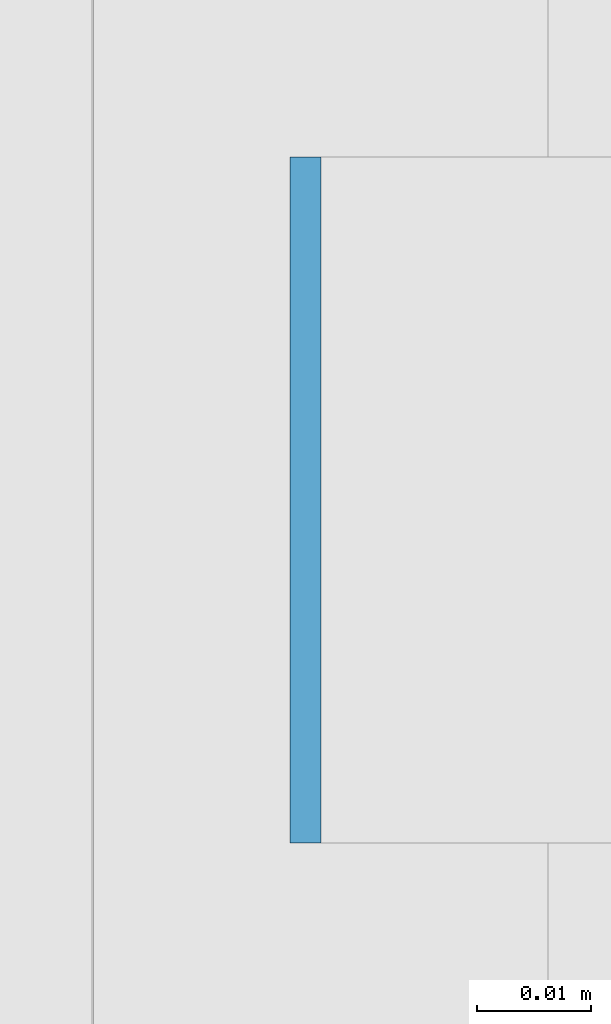
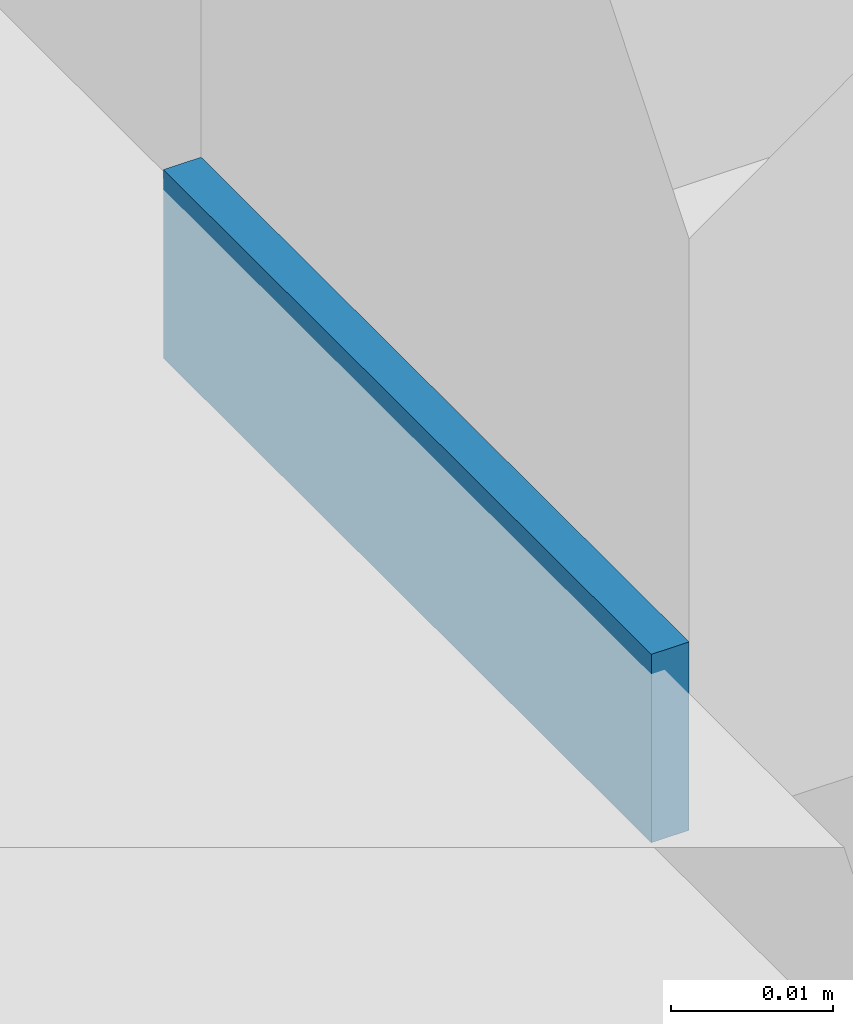
# One storey, part 518 of 646: 1 discrete accessory.
"""IFC4 building model written with IfcOpenShell, lengths in metres."""

from ifc_helpers import new_model, si_unit, direction, frame, origin, origin_2d, place, context, subcontext, project, spatial, rectangle, extrude, material, type_object, element, save


model = new_model("IFC4")

# Units and contexts
model_context = context("Model", 3, precision=1e-05, world=origin(), true_north=direction((0.0, 1.0)))
body_context = subcontext(model_context, "Body", "Model", "MODEL_VIEW")
ifc_project = project(units=[si_unit("LENGTHUNIT", "METRE"), si_unit("AREAUNIT", "SQUARE_METRE"), si_unit("VOLUMEUNIT", "CUBIC_METRE"), si_unit("PLANEANGLEUNIT", "RADIAN"), si_unit("MASSUNIT", "GRAM", prefix="KILO")], contexts=[model_context])

# Site, building, storey
site_placement = place(None, origin())
site = spatial("IfcSite", under=ifc_project, at=site_placement, CompositionType="ELEMENT")
building_placement = place(site_placement, origin())
building = spatial("IfcBuilding", under=site, at=building_placement, Name="Silverbay Arena", CompositionType="ELEMENT")
storey_placement = place(building_placement, frame((0.0, 0.0, 33.5)))
storey = spatial("IfcBuildingStorey", under=building, at=storey_placement, Name="L05", CompositionType="ELEMENT", Elevation=33.5)

# Discrete accessory
ifc_material = material(Name="Steel S355", Category="steel")
discrete_accessory_type = type_object("IfcDiscreteAccessoryType", Name="Steel bracket plate", PredefinedType="BRACKET", material=ifc_material)
discrete_accessory_placement = place(storey_placement, frame((207.128662109375, 77.142822265625, 4.0), z_axis=(0.0, 0.0, 1.0), x_axis=(1.0, 0.0, 0.0)))
element("IfcDiscreteAccessory", 1, at=discrete_accessory_placement, inside=storey, type_object=discrete_accessory_type, Name="Curtain wall packing plate", PredefinedType="BRACKET", context=body_context, shape_type="SweptSolid", body=[
    extrude(rectangle(XDim=0.002685546875, YDim=0.06005859375, at=origin_2d()), origin(), (0.0, 0.0, 1.0), 0.01416015625),
])

save(model, "model.ifc")
